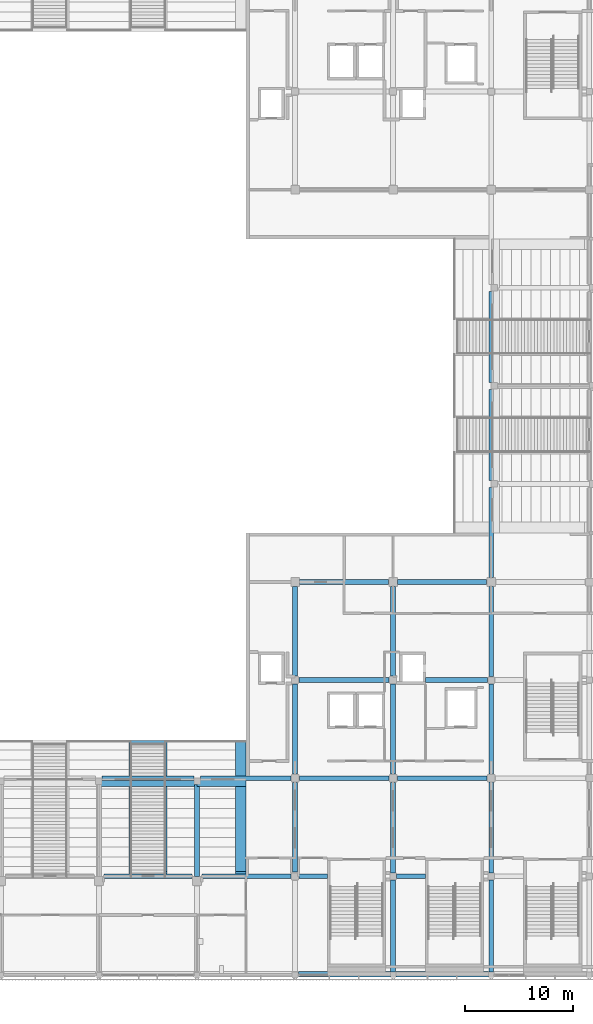
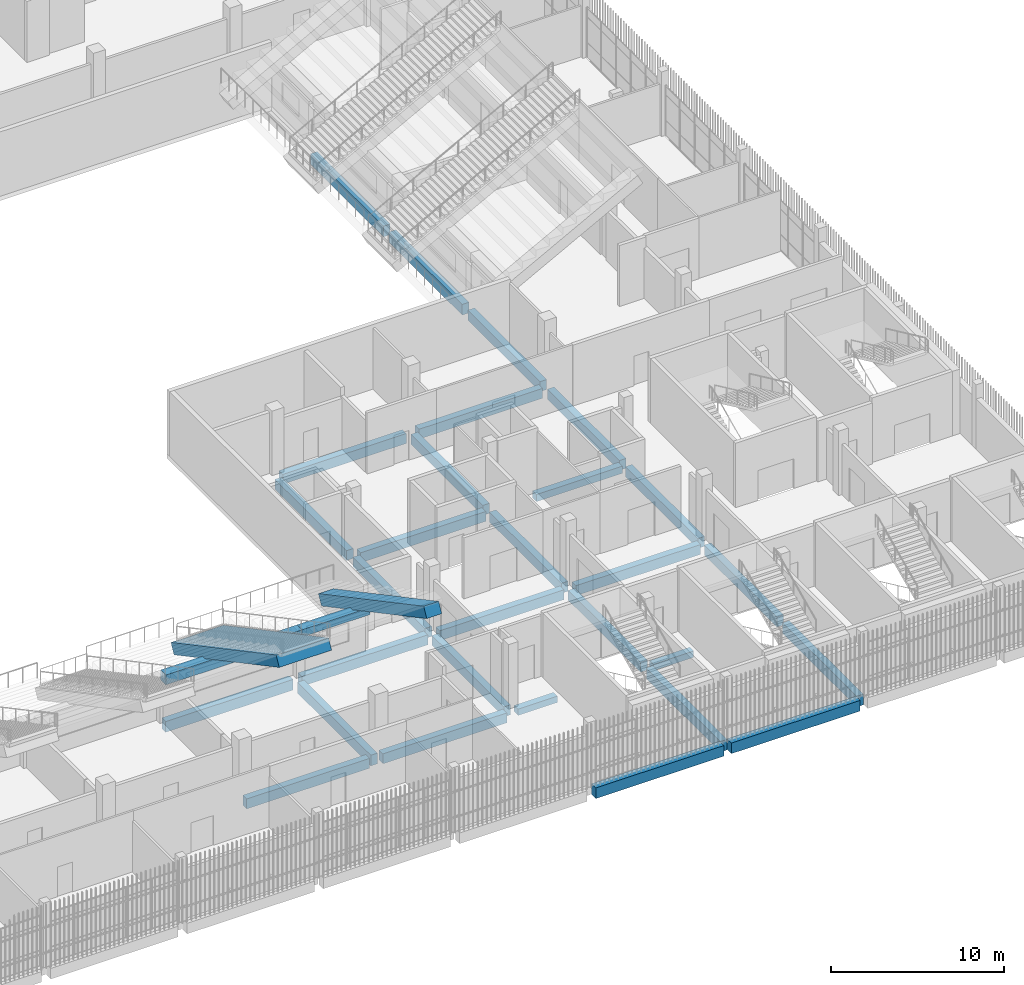
# One storey, part 30 of 139: 33 beams.
"""IFC4 building model written with IfcOpenShell, lengths in metres."""

from ifc_helpers import new_model, si_unit, direction, frame, origin, origin_2d, place, context, subcontext, project, spatial, rectangle, extrude, material, material_profile, profile_set, type_object, element, save


model = new_model("IFC4")

# Units and contexts
model_context = context("Model", 3, precision=1e-05, world=origin(), true_north=direction((0.0, 1.0)))
body_context = subcontext(model_context, "Body", "Model", "MODEL_VIEW")
ifc_project = project(units=[si_unit("LENGTHUNIT", "METRE"), si_unit("AREAUNIT", "SQUARE_METRE"), si_unit("VOLUMEUNIT", "CUBIC_METRE"), si_unit("PLANEANGLEUNIT", "RADIAN"), si_unit("MASSUNIT", "GRAM", prefix="KILO")], contexts=[model_context])

# Site, building, storey
site_placement = place(None, origin())
site = spatial("IfcSite", under=ifc_project, at=site_placement, CompositionType="ELEMENT")
building_placement = place(site_placement, origin())
building = spatial("IfcBuilding", under=site, at=building_placement, Name="Shirokan Park Arena", CompositionType="ELEMENT")
storey_placement = place(building_placement, frame((0.0, 0.0, 15.469970703125)))
storey = spatial("IfcBuildingStorey", under=building, at=storey_placement, Name="L03", CompositionType="ELEMENT", Elevation=15.469970703125)

# Beams
ifc_material = material(Name="Concrete C35", Category="concrete")
ifc_material_profile_1 = material_profile(ifc_material, rectangle(XDim=1.0, YDim=0.75, at=origin_2d()), Name="1000x750")
ifc_profile_set_1 = profile_set([ifc_material_profile_1], Name="Concrete C35")
beam_type_1 = type_object("IfcBeamType", Name="RC end raker 1000x750", PredefinedType="USERDEFINED", material=ifc_profile_set_1)
beam_1_placement = place(storey_placement, frame((104.14990234375, 21.5234375, 1.822509765625), z_axis=(0.0, -0.882353431028, 0.470587316821), x_axis=(1.0, 0.0, 0.0)))
element("IfcBeam", 1, at=beam_1_placement, inside=storey, type_object=beam_type_1, Name="End raker upper S 2", ObjectType="END RAKER BEAM", PredefinedType="USERDEFINED", context=body_context, shape_type="SweptSolid", body=[
    extrude(rectangle(XDim=1.0, YDim=0.75, at=origin_2d()), origin(), (0.0, 0.0, 1.0), 13.79638671875),
])
ifc_material_profile_2 = material_profile(ifc_material, rectangle(XDim=0.449951171875, YDim=0.5, at=origin_2d()), Name="450x500")
ifc_profile_set_2 = profile_set([ifc_material_profile_2], Name="Concrete C35")
beam_type_2 = type_object("IfcBeamType", Name="RC girder 450x500", PredefinedType="BEAM", material=ifc_profile_set_2)
beam_2_placement = place(storey_placement, frame((121.300048828125, 27.300048828125, -0.550048828125), z_axis=(1.0, 0.0, 0.0), x_axis=(0.0, 1.0, 0.0)))
element("IfcBeam", 2, at=beam_2_placement, inside=storey, type_object=beam_type_2, Name="Girder 14D-15D L03", PredefinedType="BEAM", context=body_context, shape_type="SweptSolid", body=[
    extrude(rectangle(XDim=0.449951171875, YDim=0.5, at=origin_2d()), origin(), (0.0, 0.0, 1.0), 5.749755859375),
])
ifc_material_profile_3 = material_profile(ifc_material, rectangle(XDim=0.449951171875, YDim=0.699951171875, at=origin_2d()), Name="450x700")
ifc_profile_set_3 = profile_set([ifc_material_profile_3], Name="Concrete C35")
beam_type_3 = type_object("IfcBeamType", Name="RC girder 450x700", PredefinedType="BEAM", material=ifc_profile_set_3)
beam_3_placement = place(storey_placement, frame((91.4501953125, 9.10009765625, -0.64990234375), z_axis=(1.0, 0.0, 0.0), x_axis=(0.0, 1.0, 0.0)))
element("IfcBeam", 3, at=beam_3_placement, inside=storey, type_object=beam_type_3, Name="Girder 11B-12B L03", PredefinedType="BEAM", context=body_context, shape_type="SweptSolid", body=[
    extrude(rectangle(XDim=0.449951171875, YDim=0.699951171875, at=origin_2d()), origin(), (0.0, 0.0, 1.0), 8.19970703125),
])
beam_4_placement = place(storey_placement, frame((100.550048828125, 9.10009765625, -0.64990234375), z_axis=(1.0, 0.0, 0.0), x_axis=(0.0, 1.0, 0.0)))
element("IfcBeam", 4, at=beam_4_placement, inside=storey, type_object=beam_type_3, Name="Girder 12B-13B L03", PredefinedType="BEAM", context=body_context, shape_type="SweptSolid", body=[
    extrude(rectangle(XDim=0.449951171875, YDim=0.699951171875, at=origin_2d()), origin(), (0.0, 0.0, 1.0), 8.27490234375),
])
beam_5_placement = place(storey_placement, frame((100.400146484375, 18.199951171875, -0.64990234375), z_axis=(1.0, 0.0, 0.0), x_axis=(0.0, 1.0, 0.0)))
element("IfcBeam", 5, at=beam_5_placement, inside=storey, type_object=beam_type_3, Name="Girder 12C-13C L03", PredefinedType="BEAM", context=body_context, shape_type="SweptSolid", body=[
    extrude(rectangle(XDim=0.449951171875, YDim=0.699951171875, at=origin_2d()), origin(), (0.0, 0.0, 1.0), 8.399658203125),
])
beam_6_placement = place(storey_placement, frame((109.60009765625, 18.199951171875, -0.64990234375), z_axis=(1.0, 0.0, 0.0), x_axis=(0.0, 1.0, 0.0)))
element("IfcBeam", 6, at=beam_6_placement, inside=storey, type_object=beam_type_3, Name="Girder 13C-14C L03", PredefinedType="BEAM", context=body_context, shape_type="SweptSolid", body=[
    extrude(rectangle(XDim=0.449951171875, YDim=0.699951171875, at=origin_2d()), origin(), (0.0, 0.0, 1.0), 8.2998046875),
])
beam_7_placement = place(storey_placement, frame((109.5751953125, 27.300048828125, -0.64990234375), z_axis=(1.0, 0.0, 0.0), x_axis=(0.0, 1.0, 0.0)))
element("IfcBeam", 7, at=beam_7_placement, inside=storey, type_object=beam_type_3, Name="Girder 13D-14D L03", PredefinedType="BEAM", context=body_context, shape_type="SweptSolid", body=[
    extrude(rectangle(XDim=0.449951171875, YDim=0.699951171875, at=origin_2d()), origin(), (0.0, 0.0, 1.0), 8.349609375),
])
beam_8_placement = place(storey_placement, frame((109.625, 36.39990234375, -0.64990234375), z_axis=(1.0, 0.0, 0.0), x_axis=(0.0, 1.0, 0.0)))
element("IfcBeam", 8, at=beam_8_placement, inside=storey, type_object=beam_type_3, Name="Girder 13E-14E L03", PredefinedType="BEAM", context=body_context, shape_type="SweptSolid", body=[
    extrude(rectangle(XDim=0.449951171875, YDim=0.699951171875, at=origin_2d()), origin(), (0.0, 0.0, 1.0), 8.25),
])
beam_9_placement = place(storey_placement, frame((118.7001953125, 18.199951171875, -0.64990234375), z_axis=(1.0, 0.0, 0.0), x_axis=(0.0, 1.0, 0.0)))
element("IfcBeam", 9, at=beam_9_placement, inside=storey, type_object=beam_type_3, Name="Girder 14C-15C L03", PredefinedType="BEAM", context=body_context, shape_type="SweptSolid", body=[
    extrude(rectangle(XDim=0.449951171875, YDim=0.699951171875, at=origin_2d()), origin(), (0.0, 0.0, 1.0), 8.32470703125),
])
beam_10_placement = place(storey_placement, frame((118.72509765625, 36.39990234375, -0.64990234375), z_axis=(1.0, 0.0, 0.0), x_axis=(0.0, 1.0, 0.0)))
element("IfcBeam", 10, at=beam_10_placement, inside=storey, type_object=beam_type_3, Name="Girder 14E-15E L03", PredefinedType="BEAM", context=body_context, shape_type="SweptSolid", body=[
    extrude(rectangle(XDim=0.449951171875, YDim=0.699951171875, at=origin_2d()), origin(), (0.0, 0.0, 1.0), 8.249755859375),
])
for number, where, z_axis, x_axis, name in (
    (11, (109.199951171875, 9.47509765625, -0.64990234375), (0.0, 1.0, 0.0), (-1.0, 0.0, 0.0), "Girder 13B-13C L03"),
    (12, (109.199951171875, 18.60009765625, -0.64990234375), (0.0, 1.0, 0.0), (-1.0, 0.0, 0.0), "Girder 13C-13D L03"),
):
    element("IfcBeam", number, at=place(storey_placement, frame(where, z_axis=z_axis, x_axis=x_axis)), inside=storey, type_object=beam_type_3, Name=name, PredefinedType="BEAM", context=body_context, shape_type="SweptSolid", body=[
        extrude(rectangle(XDim=0.449951171875, YDim=0.699951171875, at=origin_2d()), origin(), (0.0, 0.0, 1.0), 8.32470703125),
    ])
beam_11_placement = place(storey_placement, frame((109.199951171875, 27.675048828125, -0.64990234375), z_axis=(0.0, 1.0, 0.0), x_axis=(-1.0, 0.0, 0.0)))
element("IfcBeam", 13, at=beam_11_placement, inside=storey, type_object=beam_type_3, Name="Girder 13D-13E L03", PredefinedType="BEAM", context=body_context, shape_type="SweptSolid", body=[
    extrude(rectangle(XDim=0.449951171875, YDim=0.699951171875, at=origin_2d()), origin(), (0.0, 0.0, 1.0), 8.2998046875),
])
beam_12_placement = place(storey_placement, frame((118.300048828125, 9.425048828125, -0.64990234375), z_axis=(0.0, 1.0, 0.0), x_axis=(-1.0, 0.0, 0.0)))
element("IfcBeam", 14, at=beam_12_placement, inside=storey, type_object=beam_type_3, Name="Girder 14B-14C L03", PredefinedType="BEAM", context=body_context, shape_type="SweptSolid", body=[
    extrude(rectangle(XDim=0.449951171875, YDim=0.699951171875, at=origin_2d()), origin(), (0.0, 0.0, 1.0), 8.374755859375),
])
beam_13_placement = place(storey_placement, frame((118.300048828125, 18.60009765625, -0.64990234375), z_axis=(0.0, 1.0, 0.0), x_axis=(-1.0, 0.0, 0.0)))
element("IfcBeam", 15, at=beam_13_placement, inside=storey, type_object=beam_type_3, Name="Girder 14C-14D L03", PredefinedType="BEAM", context=body_context, shape_type="SweptSolid", body=[
    extrude(rectangle(XDim=0.449951171875, YDim=0.699951171875, at=origin_2d()), origin(), (0.0, 0.0, 1.0), 8.32470703125),
])
beam_14_placement = place(storey_placement, frame((118.300048828125, 27.675048828125, -0.64990234375), z_axis=(0.0, 1.0, 0.0), x_axis=(-1.0, 0.0, 0.0)))
element("IfcBeam", 16, at=beam_14_placement, inside=storey, type_object=beam_type_3, Name="Girder 14D-14E L03", PredefinedType="BEAM", context=body_context, shape_type="SweptSolid", body=[
    extrude(rectangle(XDim=0.449951171875, YDim=0.699951171875, at=origin_2d()), origin(), (0.0, 0.0, 1.0), 8.2998046875),
])
beam_15_placement = place(storey_placement, frame((127.39990234375, 9.425048828125, -0.64990234375), z_axis=(0.0, 1.0, 0.0), x_axis=(-1.0, 0.0, 0.0)))
element("IfcBeam", 17, at=beam_15_placement, inside=storey, type_object=beam_type_3, Name="Girder 15B-15C L03", PredefinedType="BEAM", context=body_context, shape_type="SweptSolid", body=[
    extrude(rectangle(XDim=0.449951171875, YDim=0.699951171875, at=origin_2d()), origin(), (0.0, 0.0, 1.0), 8.39990234375),
])
beam_16_placement = place(storey_placement, frame((127.39990234375, 18.5751953125, -0.64990234375), z_axis=(0.0, 1.0, 0.0), x_axis=(-1.0, 0.0, 0.0)))
element("IfcBeam", 18, at=beam_16_placement, inside=storey, type_object=beam_type_3, Name="Girder 15C-15D L03", PredefinedType="BEAM", context=body_context, shape_type="SweptSolid", body=[
    extrude(rectangle(XDim=0.449951171875, YDim=0.699951171875, at=origin_2d()), origin(), (0.0, 0.0, 1.0), 8.374755859375),
])
beam_17_placement = place(storey_placement, frame((127.39990234375, 27.650146484375, -0.64990234375), z_axis=(0.0, 1.0, 0.0), x_axis=(-1.0, 0.0, 0.0)))
element("IfcBeam", 19, at=beam_17_placement, inside=storey, type_object=beam_type_3, Name="Girder 15D-15E L03", PredefinedType="BEAM", context=body_context, shape_type="SweptSolid", body=[
    extrude(rectangle(XDim=0.449951171875, YDim=0.699951171875, at=origin_2d()), origin(), (0.0, 0.0, 1.0), 8.32470703125),
])
beam_18_placement = place(storey_placement, frame((127.39990234375, 36.8251953125, -0.64990234375), z_axis=(0.0, 1.0, 0.0), x_axis=(-1.0, 0.0, 0.0)))
element("IfcBeam", 20, at=beam_18_placement, inside=storey, type_object=beam_type_3, Name="Girder 15E-15F L03", PredefinedType="BEAM", context=body_context, shape_type="SweptSolid", body=[
    extrude(rectangle(XDim=0.449951171875, YDim=0.699951171875, at=origin_2d()), origin(), (0.0, 0.0, 1.0), 8.349609375),
])
ifc_material_profile_4 = material_profile(ifc_material, rectangle(XDim=0.449951171875, YDim=0.75, at=origin_2d()), Name="450x750")
ifc_profile_set_4 = profile_set([ifc_material_profile_4], Name="Concrete C35")
beam_type_4 = type_object("IfcBeamType", Name="RC girder 450x750", PredefinedType="BEAM", material=ifc_profile_set_4)
for number, where, z_axis, x_axis, name in (
    (21, (91.300048828125, 18.199951171875, -0.675048828125), (1.0, 0.0, 0.0), (0.0, 1.0, 0.0), "Girder 11C-12C L03"),
    (22, (100.10009765625, 9.10009765625, -0.675048828125), (0.0, 1.0, 0.0), (-1.0, 0.0, 0.0), "Girder 12B-12C L03"),
):
    element("IfcBeam", number, at=place(storey_placement, frame(where, z_axis=z_axis, x_axis=x_axis)), inside=storey, type_object=beam_type_4, Name=name, PredefinedType="BEAM", context=body_context, shape_type="SweptSolid", body=[
        extrude(rectangle(XDim=0.449951171875, YDim=0.75, at=origin_2d()), origin(), (0.0, 0.0, 1.0), 8.499755859375),
    ])
for number, where, z_axis, x_axis, name in (
    (23, (118.300048828125, 0.2001953125, -0.675048828125), (0.0, 1.0, 0.0), (-1.0, 0.0, 0.0), "Girder 14A-14B L03"),
    (24, (127.39990234375, 0.2001953125, -0.675048828125), (0.0, 1.0, 0.0), (-1.0, 0.0, 0.0), "Girder 15A-15B L03"),
):
    element("IfcBeam", number, at=place(storey_placement, frame(where, z_axis=z_axis, x_axis=x_axis)), inside=storey, type_object=beam_type_4, Name=name, PredefinedType="BEAM", context=body_context, shape_type="SweptSolid", body=[
        extrude(rectangle(XDim=0.449951171875, YDim=0.75, at=origin_2d()), origin(), (0.0, 0.0, 1.0), 8.57470703125),
    ])
beam_19_placement = place(storey_placement, frame((127.39990234375, 45.8251953125, -0.675048828125), z_axis=(0.0, 1.0, 0.0), x_axis=(-1.0, 0.0, 0.0)))
element("IfcBeam", 25, at=beam_19_placement, inside=storey, type_object=beam_type_4, Name="Girder 15F-15G L03", PredefinedType="BEAM", context=body_context, shape_type="SweptSolid", body=[
    extrude(rectangle(XDim=0.449951171875, YDim=0.75, at=origin_2d()), origin(), (0.0, 0.0, 1.0), 8.44970703125),
])
beam_20_placement = place(storey_placement, frame((127.39990234375, 54.925048828125, -0.675048828125), z_axis=(0.0, 1.0, 0.0), x_axis=(-1.0, 0.0, 0.0)))
element("IfcBeam", 26, at=beam_20_placement, inside=storey, type_object=beam_type_4, Name="Girder 15G-15H L03", PredefinedType="BEAM", context=body_context, shape_type="SweptSolid", body=[
    extrude(rectangle(XDim=0.449951171875, YDim=0.75, at=origin_2d()), origin(), (0.0, 0.0, 1.0), 8.449951171875),
])
ifc_material_profile_5 = material_profile(ifc_material, rectangle(XDim=0.5, YDim=0.75, at=origin_2d()), Name="500x750")
ifc_profile_set_5 = profile_set([ifc_material_profile_5], Name="Concrete C35")
beam_type_5 = type_object("IfcBeamType", Name="RC girder 500x750", PredefinedType="BEAM", material=ifc_profile_set_5)
beam_21_placement = place(storey_placement, frame((109.5, 0.0, -0.675048828125), z_axis=(1.0, 0.0, 0.0), x_axis=(0.0, 1.0, 0.0)))
element("IfcBeam", 27, at=beam_21_placement, inside=storey, type_object=beam_type_5, Name="Girder 13A-14A L03", PredefinedType="BEAM", context=body_context, shape_type="SweptSolid", body=[
    extrude(rectangle(XDim=0.5, YDim=0.75, at=origin_2d()), origin(), (0.0, 0.0, 1.0), 8.5498046875),
])
beam_22_placement = place(storey_placement, frame((118.550048828125, 0.0, -0.675048828125), z_axis=(1.0, 0.0, 0.0), x_axis=(0.0, 1.0, 0.0)))
element("IfcBeam", 28, at=beam_22_placement, inside=storey, type_object=beam_type_5, Name="Girder 14A-15A L03", PredefinedType="BEAM", context=body_context, shape_type="SweptSolid", body=[
    extrude(rectangle(XDim=0.5, YDim=0.75, at=origin_2d()), origin(), (0.0, 0.0, 1.0), 8.599853515625),
])
ifc_material_profile_6 = material_profile(ifc_material, rectangle(XDim=3.5, YDim=0.75, at=origin_2d()), Name="3500x750")
ifc_profile_set_6 = profile_set([ifc_material_profile_6], Name="Concrete C35")
beam_type_6 = type_object("IfcBeamType", Name="RC raker 3500x750", PredefinedType="USERDEFINED", material=ifc_profile_set_6)
beam_23_placement = place(storey_placement, frame((95.550048828125, 21.5234375, 1.822509765625), z_axis=(0.0, -0.882353431028, 0.470587316821), x_axis=(1.0, 0.0, 0.0)))
element("IfcBeam", 29, at=beam_23_placement, inside=storey, type_object=beam_type_6, Name="Raker upper S 6", ObjectType="RAKER BEAM", PredefinedType="USERDEFINED", context=body_context, shape_type="SweptSolid", body=[
    extrude(rectangle(XDim=3.5, YDim=0.75, at=origin_2d()), origin(), (0.0, 0.0, 1.0), 13.79638671875),
])
ifc_material_profile_7 = material_profile(ifc_material, rectangle(XDim=0.60009765625, YDim=0.699951171875, at=origin_2d()), Name="600x700")
ifc_profile_set_7 = profile_set([ifc_material_profile_7], Name="Concrete C35")
beam_type_7 = type_object("IfcBeamType", Name="RC stand girder 600x700", PredefinedType="BEAM", material=ifc_profile_set_7)
beam_24_placement = place(storey_placement, frame((91.0, 17.75, 3.06005859375), z_axis=(1.0, 0.0, 0.0), x_axis=(0.0, 1.0, 0.0)))
element("IfcBeam", 30, at=beam_24_placement, inside=storey, type_object=beam_type_7, Name="Stand girder S R3 7", PredefinedType="BEAM", context=body_context, shape_type="SweptSolid", body=[
    extrude(rectangle(XDim=0.60009765625, YDim=0.699951171875, at=origin_2d()), origin(), (0.0, 0.0, 1.0), 9.10009765625),
])
ifc_material_profile_8 = material_profile(ifc_material, rectangle(XDim=0.60009765625, YDim=0.5, at=origin_2d()), Name="600x500")
ifc_profile_set_8 = profile_set([ifc_material_profile_8], Name="Concrete C35")
beam_type_8 = type_object("IfcBeamType", Name="RC stand girder end bay 600x500", PredefinedType="BEAM", material=ifc_profile_set_8)
beam_25_placement = place(storey_placement, frame((100.10009765625, 17.75, 3.159912109375), z_axis=(1.0, 0.0, 0.0), x_axis=(0.0, 1.0, 0.0)))
element("IfcBeam", 31, at=beam_25_placement, inside=storey, type_object=beam_type_8, Name="Stand girder S R3 8", PredefinedType="BEAM", context=body_context, shape_type="SweptSolid", body=[
    extrude(rectangle(XDim=0.60009765625, YDim=0.5, at=origin_2d()), origin(), (0.0, 0.0, 1.0), 4.5498046875),
])
ifc_material_profile_9 = material_profile(ifc_material, rectangle(XDim=0.449951171875, YDim=0.449951171875, at=origin_2d()), Name="450x450")
ifc_profile_set_9 = profile_set([ifc_material_profile_9], Name="Concrete C35")
beam_type_9 = type_object("IfcBeamType", Name="RC trimmer 450x450", PredefinedType="BEAM", material=ifc_profile_set_9)
beam_26_placement = place(storey_placement, frame((109.5751953125, 9.10009765625, -0.52490234375), z_axis=(1.0, 0.0, 0.0), x_axis=(0.0, 1.0, 0.0)))
element("IfcBeam", 32, at=beam_26_placement, inside=storey, type_object=beam_type_9, Name="Girder 13B-14B L03", PredefinedType="BEAM", context=body_context, shape_type="SweptSolid", body=[
    extrude(rectangle(XDim=0.449951171875, YDim=0.449951171875, at=origin_2d()), origin(), (0.0, 0.0, 1.0), 2.624755859375),
])
beam_27_placement = place(storey_placement, frame((118.625, 9.10009765625, -0.52490234375), z_axis=(1.0, 0.0, 0.0), x_axis=(0.0, 1.0, 0.0)))
element("IfcBeam", 33, at=beam_27_placement, inside=storey, type_object=beam_type_9, Name="Girder 14B-15B L03", PredefinedType="BEAM", context=body_context, shape_type="SweptSolid", body=[
    extrude(rectangle(XDim=0.449951171875, YDim=0.449951171875, at=origin_2d()), origin(), (0.0, 0.0, 1.0), 2.675048828125),
])

save(model, "model.ifc")
